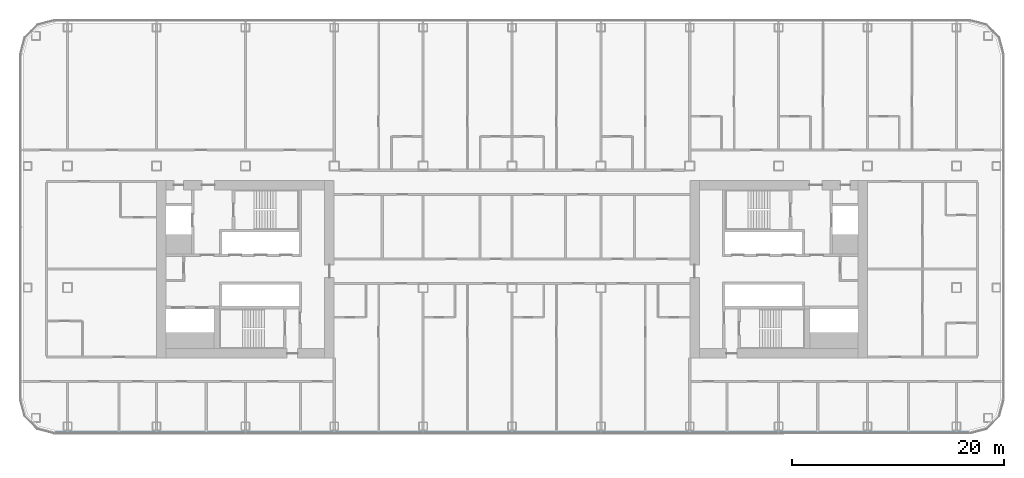
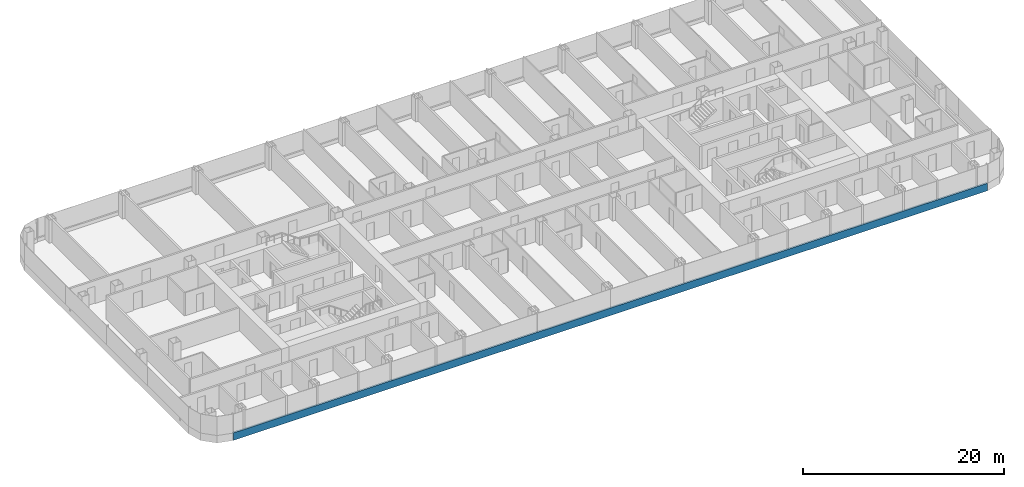
# One storey, part 5 of 29: 1 member, 1 element without a shape of its own.
"""IFC4 building model written with IfcOpenShell, lengths in metres."""

import ifcopenshell
import ifcopenshell.guid

model = None  # the IFC model being written
_history = None  # IfcOwnerHistory: only IFC2X3 demands one
_inside = {}  # id of a spatial element -> (the spatial element, [elements in it])
_under = {}  # id of a project, library or spatial element -> (it, [spatial elements below it])
_declared = {}  # id of a project -> (the project, [libraries it declares])
_typed = {}  # id of a type object -> (the type object, [elements of that type])
_made_of = {}  # id of a material, layer set ... -> (it, [elements and type objects made of it])


def new_model(schema):
    """Start an empty IFC model of exactly this schema.

    Asked for "IFC4X3", IfcOpenShell would pick the latest addendum, in which some entities
    have other attributes; the version numbers below select the first issue.
    IFC2X3 requires an IfcOwnerHistory on every rooted entity: one is made here for all.
    """
    global model, _history
    if schema == "IFC4X3":
        model = ifcopenshell.file(schema_version=(4, 3, 0, 0))
    else:
        model = ifcopenshell.file(schema=schema)
    _inside.clear()
    _under.clear()
    _declared.clear()
    _typed.clear()
    _made_of.clear()
    _history = None
    if model.schema == "IFC2X3":
        org = make("IfcOrganization", Name="unknown")
        user = make(
            "IfcPersonAndOrganization",
            ThePerson=make("IfcPerson", FamilyName="unknown"),
            TheOrganization=org,
        )
        app = make(
            "IfcApplication",
            ApplicationDeveloper=org,
            Version="unknown",
            ApplicationFullName="unknown",
            ApplicationIdentifier="unknown",
        )
        _history = make(
            "IfcOwnerHistory",
            OwningUser=user,
            OwningApplication=app,
            ChangeAction="ADDED",
            CreationDate=0,
        )
    return model


def make(cls, **values):
    """One entity of the class cls with the attributes given. An attribute that is None is left unset."""
    return model.create_entity(
        cls, **{name: value for name, value in values.items() if value is not None}
    )


def rooted(cls, **values):
    """An entity with a GlobalId (a new one), such as an element, a storey or a relation."""
    return make(cls, GlobalId=ifcopenshell.guid.new(), OwnerHistory=_history, **values)


def si_unit(unit_type, name, prefix=None):
    """IfcSIUnit, for example si_unit("LENGTHUNIT", "METRE", prefix="MILLI")."""
    return make("IfcSIUnit", UnitType=unit_type, Prefix=prefix, Name=name)


def assignment(units):
    """IfcUnitAssignment: the units of a project."""
    return None if units is None else make("IfcUnitAssignment", Units=units)


def point(xyz):
    """IfcCartesianPoint."""
    return None if xyz is None else make("IfcCartesianPoint", Coordinates=xyz)


def direction(xyz):
    """IfcDirection."""
    return None if xyz is None else make("IfcDirection", DirectionRatios=xyz)


def frame(location, z_axis=None, x_axis=None):
    """IfcAxis2Placement3D, a coordinate frame: its origin and axes. An axis left out is left unset."""
    return make(
        "IfcAxis2Placement3D",
        Location=point(location),
        Axis=direction(z_axis),
        RefDirection=direction(x_axis),
    )


def frame_2d(location, x_axis=None):
    """IfcAxis2Placement2D, a coordinate frame in the plane: its origin and x axis."""
    return make(
        "IfcAxis2Placement2D", Location=point(location), RefDirection=direction(x_axis)
    )


def origin():
    """The frame at (0, 0, 0) with its axes left unset."""
    return frame((0.0, 0.0, 0.0))


def origin_2d():
    """The frame at (0, 0) in the plane with its x axis left unset."""
    return frame_2d((0.0, 0.0))


def place(relative_to, where):
    """IfcLocalPlacement: puts the frame where relative to a parent placement (None: the world)."""
    return make(
        "IfcLocalPlacement", PlacementRelTo=relative_to, RelativePlacement=where
    )


def context(
    kind, dimensions, precision=None, world=None, true_north=None, identifier=None
):
    """IfcGeometricRepresentationContext, for example the 3D "Model" context."""
    return make(
        "IfcGeometricRepresentationContext",
        ContextIdentifier=identifier,
        ContextType=kind,
        CoordinateSpaceDimension=dimensions,
        Precision=precision,
        WorldCoordinateSystem=world,
        TrueNorth=true_north,
    )


def subcontext(parent, identifier, kind, view, scale=None):
    """IfcGeometricRepresentationSubContext, for example "Body" below "Model"."""
    return make(
        "IfcGeometricRepresentationSubContext",
        ContextIdentifier=identifier,
        ContextType=kind,
        ParentContext=parent,
        TargetScale=scale,
        TargetView=view,
    )


def project(units=None, contexts=None):
    """IfcProject with its units and contexts."""
    return rooted(
        "IfcProject",
        Name="project",
        RepresentationContexts=contexts,
        UnitsInContext=assignment(units),
    )


def spatial(cls, under=None, at=None, **own):
    """A site, building, storey or space (cls), placed at a placement, below another one or the project."""
    s = rooted(cls, ObjectPlacement=at, **own)
    if under is not None:
        _under.setdefault(under.id(), (under, []))[1].append(s)
    return s


def profile(cls, at=None, kind="AREA", **sizes):
    """A parametric profile (cls). Its sizes go by their IFC names, for example OverallWidth=200.0."""
    return make(cls, ProfileType=kind, Position=at, **sizes)


def rectangle(**sizes):
    """IfcRectangleProfileDef."""
    return profile("IfcRectangleProfileDef", **sizes)


def extrude(swept, where, along, depth):
    """IfcExtrudedAreaSolid: the profile swept, set in the frame where, extruded along a direction by depth."""
    return make(
        "IfcExtrudedAreaSolid",
        SweptArea=swept,
        Position=where,
        ExtrudedDirection=direction(along),
        Depth=depth,
    )


def shape(context_of_items, identifier, shape_type, items):
    """IfcShapeRepresentation: the items that make up one representation, for example the "Body"."""
    return make(
        "IfcShapeRepresentation",
        ContextOfItems=context_of_items,
        RepresentationIdentifier=identifier,
        RepresentationType=shape_type,
        Items=items,
    )


def material(Name=None, Category=None):
    """IfcMaterial."""
    return make("IfcMaterial", Name=Name, Category=Category)


def layer(
    of_material, thickness, ventilated=None, Name=None, Category=None, Priority=None
):
    """IfcMaterialLayer: one layer of a wall or slab, of a material (None: an air gap)."""
    return make(
        "IfcMaterialLayer",
        Material=of_material,
        LayerThickness=thickness,
        IsVentilated=ventilated,
        Name=Name,
        Category=Category,
        Priority=Priority,
    )


def layer_set(layers, Name=None):
    """IfcMaterialLayerSet."""
    return make("IfcMaterialLayerSet", MaterialLayers=layers, LayerSetName=Name)


def material_profile(
    of_material, cross_section, Name=None, Category=None, Priority=None
):
    """IfcMaterialProfile: a cross section and its material."""
    return make(
        "IfcMaterialProfile",
        Name=Name,
        Material=of_material,
        Profile=cross_section,
        Priority=Priority,
        Category=Category,
    )


def profile_set(profiles, Name=None, composite=None):
    """IfcMaterialProfileSet."""
    return make(
        "IfcMaterialProfileSet",
        Name=Name,
        MaterialProfiles=profiles,
        CompositeProfile=composite,
    )


def made_of(thing, what):
    """Note that an element or type object is made of a material, layer set ...; save() writes the relation."""
    if what is not None:
        _made_of.setdefault(what.id(), (what, []))[1].append(thing)
    return thing


def type_object(cls, material=None, **own):
    """A type object (cls), such as IfcWallType, which elements share."""
    return made_of(rooted(cls, **own), material)


def element(
    cls,
    number,
    at=None,
    inside=None,
    cuts=None,
    type_object=None,
    material=None,
    context=None,
    identifier="Body",
    shape_type=None,
    held_by="IfcProductDefinitionShape",
    body=None,
    shapes=None,
    **own,
):
    """One element of the class cls, such as IfcWall. Its Tag is "e" and its number.

    at: its placement. inside: the storey or other place that contains it. cuts: it is an
    opening in that element (IfcRelVoidsElement). A single representation is given by context,
    identifier, shape_type and body (its items); several are given by shapes. held_by: the class
    of the entity that holds the representations. save() writes the other relations.
    """
    e = rooted(cls, Tag="e%d" % number, ObjectPlacement=at, **own)
    if body is not None:
        shapes = [shape(context, identifier, shape_type, body)]
    if shapes is not None:
        e.Representation = make(held_by, Representations=shapes)
    if inside is not None:
        _inside.setdefault(inside.id(), (inside, []))[1].append(e)
    if cuts is not None:
        rooted(
            "IfcRelVoidsElement", RelatingBuildingElement=cuts, RelatedOpeningElement=e
        )
    if type_object is not None:
        _typed.setdefault(type_object.id(), (type_object, []))[1].append(e)
    return made_of(e, material)


def aggregate(whole, parts):
    """IfcRelAggregates: a whole, such as a stair, and the parts it consists of."""
    return rooted("IfcRelAggregates", RelatingObject=whole, RelatedObjects=parts)


def save(model, path):
    """Write the relations noted so far, then the file.

    IfcRelAggregates (storeys below a building ...), IfcRelContainedInSpatialStructure (elements
    in a storey), IfcRelDefinesByType, IfcRelAssociatesMaterial and IfcRelDeclares: one each for
    every whole, place, type object, material and project.
    """
    for whole, parts in _under.values():
        aggregate(whole, parts)
    for where, things in _inside.values():
        rooted(
            "IfcRelContainedInSpatialStructure",
            RelatedElements=things,
            RelatingStructure=where,
        )
    for kind, things in _typed.values():
        rooted("IfcRelDefinesByType", RelatedObjects=things, RelatingType=kind)
    for what, things in _made_of.values():
        rooted("IfcRelAssociatesMaterial", RelatedObjects=things, RelatingMaterial=what)
    for by, libraries in _declared.values():
        rooted("IfcRelDeclares", RelatingContext=by, RelatedDefinitions=libraries)
    model.write(path)


model = new_model("IFC4")

# Units and contexts
model_context = context("Model", 3, precision=1e-05, world=origin(), true_north=direction((0.0, 1.0)))
body_context = subcontext(model_context, "Body", "Model", "MODEL_VIEW")
ifc_project = project(units=[si_unit("LENGTHUNIT", "METRE"), si_unit("AREAUNIT", "SQUARE_METRE"), si_unit("VOLUMEUNIT", "CUBIC_METRE"), si_unit("PLANEANGLEUNIT", "RADIAN"), si_unit("MASSUNIT", "GRAM", prefix="KILO")], contexts=[model_context])

# Site, building, storey
site_placement = place(None, origin())
site = spatial("IfcSite", under=ifc_project, at=site_placement, CompositionType="ELEMENT")
building_placement = place(site_placement, origin())
building = spatial("IfcBuilding", under=site, at=building_placement, Name="Hakoniwa Tower and Hamabe Station Hall", CompositionType="ELEMENT")
storey_placement = place(building_placement, frame((0.0, 0.0, 88.199951171875)))
storey = spatial("IfcBuildingStorey", under=building, at=storey_placement, Name="L24", CompositionType="ELEMENT", Elevation=88.199951171875)

# Curtain wall, member
ifc_material_1 = material(Name="Dark low-e laminated glass", Category="glass")
ifc_layer = layer(ifc_material_1, 0.199951171875)
ifc_layer_set = layer_set([ifc_layer], Name="CW-1 UNITISED GUEST")
curtain_wall_type = type_object("IfcCurtainWallType", Name="CW-1 UNITISED GUEST", PredefinedType="NOTDEFINED", material=ifc_layer_set)
curtain_wall_placement = place(storey_placement, origin())
curtain_wall = element("IfcCurtainWall", 1, at=curtain_wall_placement, inside=storey, type_object=curtain_wall_type, Name="CW-1 curtain wall", PredefinedType="NOTDEFINED")
ifc_material_2 = material(Name="Aluminium 6063-T5 black anodised", Category="aluminium")
ifc_material_profile = material_profile(ifc_material_2, rectangle(XDim=0.199951171875, YDim=0.89990234375, at=origin_2d()), Name="CW SLAB-EDGE BAND 900X200")
ifc_profile_set = profile_set([ifc_material_profile], Name="Aluminium 6063-T5 black anodised")
member_type = type_object("IfcMemberType", Name="CW SLAB-EDGE BAND 900X200", PredefinedType="USERDEFINED", material=ifc_profile_set)
member_placement = place(storey_placement, frame((-43.239501953125, -15.449951171875, -0.099853515625), z_axis=(1.0, 0.0, 0.0), x_axis=(0.0, 1.0, 0.0)))
member = element("IfcMember", 2, at=member_placement, type_object=member_type, Name="CW-1 transom", ObjectType="TRANSOM", PredefinedType="USERDEFINED", context=body_context, shape_type="SweptSolid", body=[
    extrude(rectangle(XDim=0.199951171875, YDim=0.89990234375, at=origin_2d()), origin(), (0.0, 0.0, 1.0), 86.47900390625),
])
aggregate(curtain_wall, [member])

save(model, "model.ifc")
